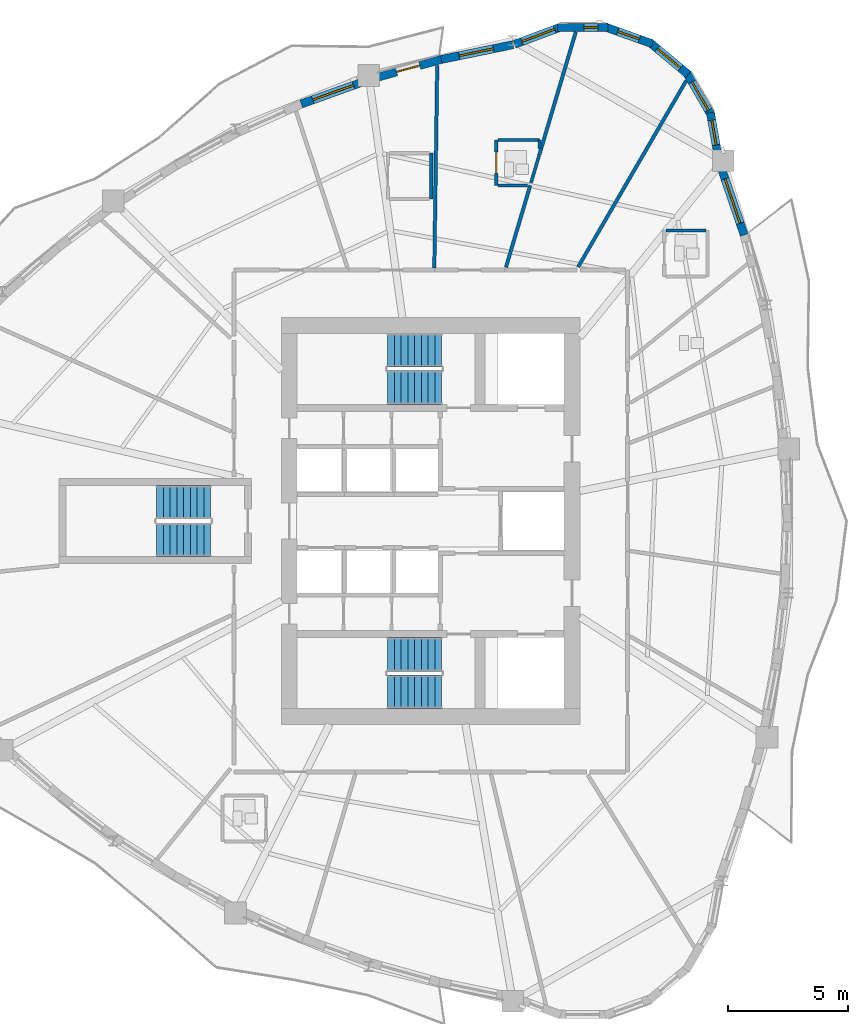
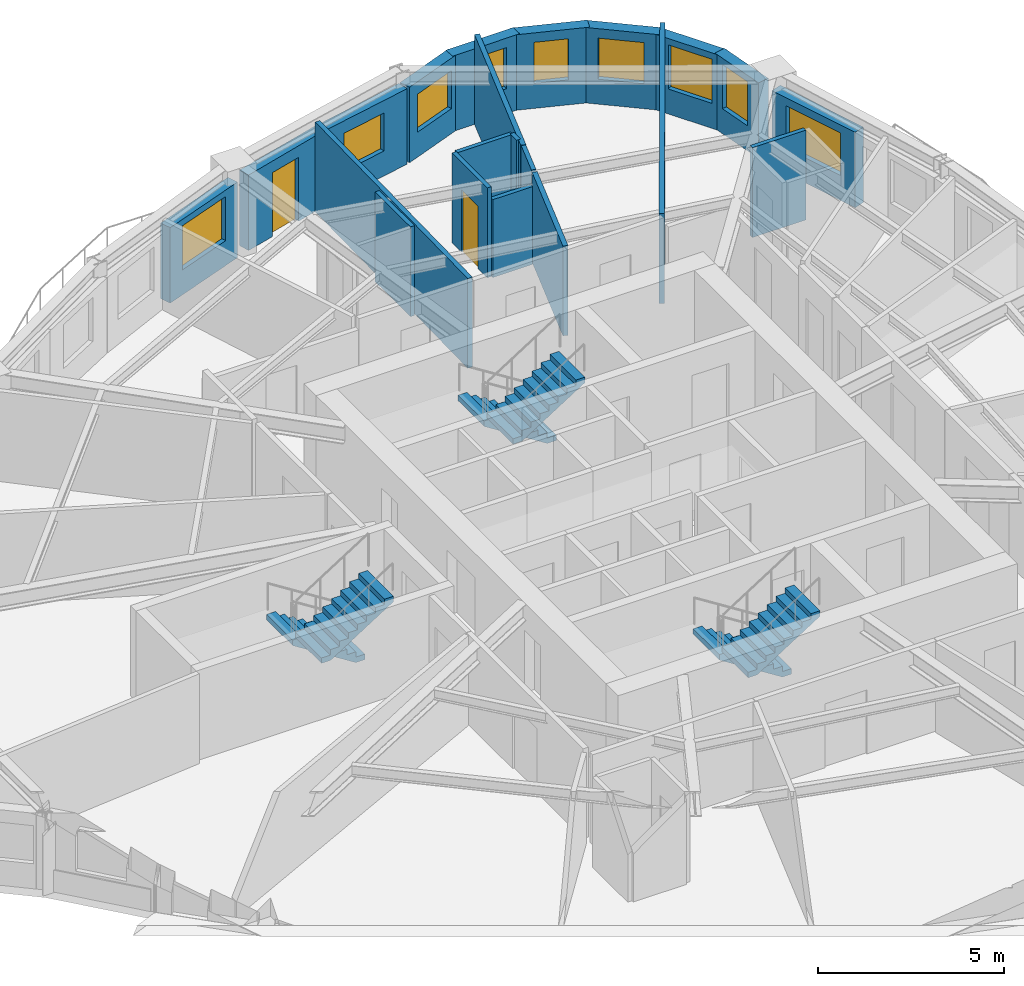
# One storey, part 8 of 12: 21 walls, 9 windows, 6 stair flights, 2 doors, 11 openings, 3 elements without a shape of their own.
"""IFC4 building model written with IfcOpenShell, lengths in metres."""

from ifc_helpers import new_model, si_unit, direction, frame, frame_2d, origin, place, context, subcontext, project, spatial, polyline, rectangle, outline, extrude, source, transform, mapped, material, layer, layer_set, type_object, element, fill, aggregate, save


model = new_model("IFC4")

# Units and contexts
model_context = context("Model", 3, precision=1e-05, world=origin(), true_north=direction((0.0, 1.0)))
body_context = subcontext(model_context, "Body", "Model", "MODEL_VIEW")
ifc_project = project(units=[si_unit("LENGTHUNIT", "METRE"), si_unit("AREAUNIT", "SQUARE_METRE"), si_unit("VOLUMEUNIT", "CUBIC_METRE"), si_unit("PLANEANGLEUNIT", "RADIAN"), si_unit("MASSUNIT", "GRAM", prefix="KILO")], contexts=[model_context])

# Site, building, storey
site_placement = place(None, origin())
site = spatial("IfcSite", under=ifc_project, at=site_placement, CompositionType="ELEMENT")
building_placement = place(site_placement, origin())
building = spatial("IfcBuilding", under=site, at=building_placement, Name="Qafzar Sky-Pleat Residences", CompositionType="ELEMENT")
storey_placement = place(building_placement, frame((0.0, 0.0, 92.800048828125)))
storey = spatial("IfcBuildingStorey", under=building, at=storey_placement, Name="L27", CompositionType="ELEMENT", Elevation=92.800048828125)

# Walls
ifc_material_1 = material(Name="Acoustic gypsum plasterboard partition", Category="gypsum")
ifc_layer_1 = layer(ifc_material_1, 0.14501953125)
ifc_layer_set_1 = layer_set([ifc_layer_1], Name="Acoustic gypsum plasterboard partition")
wall_type_1 = type_object("IfcWallType", Name="PART-UNIT-145", PredefinedType="PARTITIONING", material=ifc_layer_set_1)
wall_1_placement = place(storey_placement, frame((36.474609375, 36.55322265625, 0.0), z_axis=(0.0, 0.0, 1.0), x_axis=(0.501895508122, 0.864928262301, 0.0)))
element("IfcWall", 1, at=wall_1_placement, inside=storey, type_object=wall_type_1, Name="L27 Partition Wall PART-L27-PW-025", PredefinedType="PARTITIONING", context=body_context, shape_type="SweptSolid", body=[
    extrude(rectangle(XDim=8.957763671875, YDim=0.14501953125, at=frame_2d((4.47900390625, 0.0))), origin(), (0.0, 0.0, 1.0), 2.949951171875),
])
wall_2_placement = place(storey_placement, frame((30.500244140625, 36.51904296875, 0.0), z_axis=(0.0, 0.0, 1.0), x_axis=(0.014275968132, 0.999898093174, 0.0)))
element("IfcWall", 2, at=wall_2_placement, inside=storey, type_object=wall_type_1, Name="L27 Partition Wall PART-L27-PW-027", PredefinedType="PARTITIONING", context=body_context, shape_type="SweptSolid", body=[
    extrude(rectangle(XDim=8.4140625, YDim=0.14501953125, at=frame_2d((4.20703125, 0.0))), origin(), (0.0, 0.0, 1.0), 2.949951171875),
])
wall_3_placement = place(storey_placement, frame((34.85888671875, 41.200927734375, 0.0), z_axis=(0.0, 0.0, 1.0), x_axis=(0.284335435967, 0.958724861393, 0.0)))
element("IfcWall", 3, at=wall_3_placement, inside=storey, type_object=wall_type_1, Name="L27 Partition Wall PART-L27-PW-037", PredefinedType="PARTITIONING", context=body_context, shape_type="SweptSolid", body=[
    extrude(rectangle(XDim=5.348388671875, YDim=0.14501953125, at=frame_2d((2.67431640625, 0.0))), origin(), (0.0, 0.0, 1.0), 2.949951171875),
])
wall_4_placement = place(storey_placement, frame((33.47607421875, 36.538330078125, 0.0), z_axis=(0.0, 0.0, 1.0), x_axis=(0.284300835747, 0.958735122332, 0.0)))
element("IfcWall", 4, at=wall_4_placement, inside=storey, type_object=wall_type_1, Name="L27 Partition Wall PART-L27-PW-039", PredefinedType="PARTITIONING", context=body_context, shape_type="SweptSolid", body=[
    extrude(rectangle(XDim=3.5595703125, YDim=0.14501953125, at=frame_2d((1.77978515625, 0.0))), origin(), (0.0, 0.0, 1.0), 2.949951171875),
])

# Wall, opening, door
ifc_material_2 = material(Name="Moisture-resistant gypsum partition", Category="gypsum")
ifc_layer_2 = layer(ifc_material_2, 0.1298828125)
ifc_layer_set_2 = layer_set([ifc_layer_2], Name="Moisture-resistant gypsum partition")
wall_type_2 = type_object("IfcWallType", Name="PART-WET-130", PredefinedType="PARTITIONING", material=ifc_layer_set_2)
wall_5_placement = place(storey_placement, frame((33.073974609375, 41.8359375, 0.0), z_axis=(0.0, 0.0, 1.0), x_axis=(0.0, -1.0, 0.0)))
wall_5 = element("IfcWall", 5, at=wall_5_placement, inside=storey, type_object=wall_type_2, Name="L27 Partition Wall PART-L27-PW-017", PredefinedType="PARTITIONING", context=body_context, shape_type="SweptSolid", body=[
    extrude(rectangle(XDim=1.89990234375, YDim=0.1298828125, at=frame_2d((0.949951171875, 0.0))), origin(), (0.0, 0.0, 1.0), 2.949951171875),
])
opening_1_placement = place(wall_5_placement, frame((0.510009765625, 0.0, 0.0)))
opening_1 = element("IfcOpeningElement", 6, at=opening_1_placement, cuts=wall_5, Name="Opening ID-07", PredefinedType="OPENING", context=body_context, shape_type="SweptSolid", body=[
    extrude(rectangle(XDim=0.8798828125, YDim=2.050048828125, at=frame_2d((0.43994140625, 1.02490234375))), frame((0.0, 0.074951171875, 0.0), z_axis=(0.0, -1.0, 0.0), x_axis=(1.0, 0.0, 0.0)), (0.0, 0.0, 1.0), 0.14990234375),
])
ifc_material_3 = material(Name="Timber-faced fire door", Category="wood")
door_type_1 = type_object("IfcDoorType", Name="DR-WET-880", OperationType="NOTDEFINED", PredefinedType="DOOR", material=ifc_material_3)
shared_shape_1 = source(origin(), body_context, "Body", "SweptSolid", [
    extrude(rectangle(XDim=0.8798828125, YDim=2.050048828125, at=frame_2d((0.43994140625, 1.02490234375))), frame((0.0, 0.02490234375, 0.0), z_axis=(0.0, -1.0, 0.0), x_axis=(1.0, 0.0, 0.0)), (0.0, 0.0, 1.0), 0.050048828125),
])
door_1_placement = place(opening_1_placement, origin())
door_1 = element("IfcDoor", 7, at=door_1_placement, inside=storey, type_object=door_type_1, Name="L27 En-suite Bathroom 3 Door", OperationType="SINGLE_SWING_LEFT", OverallHeight=2.050048828125, OverallWidth=0.8798828125, PredefinedType="DOOR", context=body_context, shape_type="MappedRepresentation", body=[
    mapped(shared_shape_1, transform((0.0, 0.0, 0.0), x_axis=(1.0, 0.0, 0.0), y_axis=(0.0, 1.0, 0.0), z_axis=(0.0, 0.0, 1.0), scale=1.0)),
])
fill(opening_1, door_1)

# Walls
wall_6_placement = place(storey_placement, frame((30.3701171875, 39.385986328125, 0.0), z_axis=(0.0, 0.0, 1.0), x_axis=(0.0, 1.0, 0.0)))
element("IfcWall", 8, at=wall_6_placement, inside=storey, type_object=wall_type_2, Name="L27 Partition Wall PART-L27-PW-044", PredefinedType="PARTITIONING", context=body_context, shape_type="SweptSolid", body=[
    extrude(rectangle(XDim=1.89990234375, YDim=0.1298828125, at=frame_2d((0.949951171875, 0.0))), origin(), (0.0, 0.0, 1.0), 2.949951171875),
])
wall_7_placement = place(storey_placement, frame((33.14697265625, 41.8359375, 0.0), z_axis=(0.0, 0.0, 1.0), x_axis=(1.0, 0.0, 0.0)))
element("IfcWall", 9, at=wall_7_placement, inside=storey, type_object=wall_type_2, Name="L27 Partition Wall PART-L27-PW-045", PredefinedType="PARTITIONING", context=body_context, shape_type="SweptSolid", body=[
    extrude(rectangle(XDim=1.72705078125, YDim=0.1298828125, at=frame_2d((0.863525390625, 0.0))), origin(), (0.0, 0.0, 1.0), 2.949951171875),
])
wall_8_placement = place(storey_placement, frame((40.131103515625, 38.06689453125, 0.0), z_axis=(0.0, 0.0, 1.0), x_axis=(1.0, 0.0, 0.0)))
element("IfcWall", 10, at=wall_8_placement, inside=storey, type_object=wall_type_2, Name="L27 Partition Wall PART-L27-PW-050", PredefinedType="PARTITIONING", context=body_context, shape_type="SweptSolid", body=[
    extrude(rectangle(XDim=1.65380859375, YDim=0.1298828125, at=frame_2d((0.826904296875, 0.0))), origin(), (0.0, 0.0, 1.0), 2.949951171875),
])
wall_9_placement = place(storey_placement, frame((33.14697265625, 39.93603515625, 0.0), z_axis=(0.0, 0.0, 1.0), x_axis=(1.0, 0.0, 0.0)))
element("IfcWall", 11, at=wall_9_placement, inside=storey, type_object=wall_type_2, Name="L27 Partition Wall PART-L27-PW-053", PredefinedType="PARTITIONING", context=body_context, shape_type="SweptSolid", body=[
    extrude(rectangle(XDim=1.234130859375, YDim=0.1298828125, at=frame_2d((0.6171875, 0.0))), origin(), (0.0, 0.0, 1.0), 2.557861328125),
])
wall_10_placement = place(storey_placement, frame((34.519287109375, 40.056640625, 0.0), z_axis=(0.0, 0.0, 1.0), x_axis=(0.284363334184, 0.958716586991, 0.0)))
element("IfcWall", 12, at=wall_10_placement, inside=storey, type_object=wall_type_2, Name="L27 Partition Wall PART-L27-PW-054", PredefinedType="PARTITIONING", context=body_context, shape_type="SweptSolid", body=[
    extrude(rectangle(XDim=1.1787109375, YDim=0.1298828125, at=frame_2d((0.58935546875, 0.0))), origin(), (0.0, 0.0, 1.0), 2.949951171875),
])
wall_11_placement = place(storey_placement, frame((34.8740234375, 41.47705078125, 0.0), z_axis=(0.0, 0.0, 1.0), x_axis=(0.0, 1.0, 0.0)))
element("IfcWall", 13, at=wall_11_placement, inside=storey, type_object=wall_type_2, Name="L27 Partition Wall PART-L27-PW-055", PredefinedType="PARTITIONING", context=body_context, shape_type="SweptSolid", body=[
    extrude(rectangle(XDim=0.35888671875, YDim=0.1298828125, at=frame_2d((0.179443359375, 0.0))), origin(), (0.0, 0.0, 1.0), 2.949951171875),
])

# Wall, opening, window
ifc_material_4 = material(Name="Precast concrete C40/50 with honed Riyadh limestone", Category="concrete")
ifc_layer_3 = layer(ifc_material_4, 0.340087890625)
ifc_layer_set_3 = layer_set([ifc_layer_3], Name="Precast concrete C40/50 with honed Riyadh limestone")
wall_type_3 = type_object("IfcWallType", Name="WALL-EXT-340", PredefinedType="SOLIDWALL", material=ifc_layer_set_3)
wall_12_placement = place(storey_placement, frame((43.38037109375, 37.885986328125, 0.0), z_axis=(0.0, 0.0, 1.0), x_axis=(-0.323536742898, 0.946215607562, 0.0)))
wall_12 = element("IfcWall", 14, at=wall_12_placement, inside=storey, type_object=wall_type_3, Name="L27 Limestone Facade Wall 32", PredefinedType="SOLIDWALL", context=body_context, shape_type="SweptSolid", body=[
    extrude(rectangle(XDim=2.972412109375, YDim=0.340087890625, at=frame_2d((1.486328125, 0.0))), origin(), (0.0, 0.0, 1.0), 2.47998046875),
])
opening_2_placement = place(wall_12_placement, frame((0.51611328125, 0.0, 0.820068359375)))
opening_2 = element("IfcOpeningElement", 15, at=opening_2_placement, cuts=wall_12, Name="Opening WN-08", PredefinedType="OPENING", context=body_context, shape_type="SweptSolid", body=[
    extrude(rectangle(XDim=1.949951171875, YDim=1.39990234375, at=frame_2d((0.97509765625, 0.699951171875))), frame((0.0, 0.18017578125, 0.0), z_axis=(0.0, -1.0, 0.0), x_axis=(1.0, 0.0, 0.0)), (0.0, 0.0, 1.0), 0.360107421875),
])
ifc_material_5 = material(Name="Solar-control low-E glass in bronze aluminium frame", Category="glass")
window_type_1 = type_object("IfcWindowType", Name="WIN-08", PartitioningType="DOUBLE_PANEL_VERTICAL", PredefinedType="WINDOW", material=ifc_material_5)
shared_shape_2 = source(origin(), body_context, "Body", "SweptSolid", [
    extrude(rectangle(XDim=1.949951171875, YDim=1.39990234375, at=frame_2d((0.97509765625, 0.699951171875))), frame((0.0, 0.030029296875, 0.0), z_axis=(0.0, -1.0, 0.0), x_axis=(1.0, 0.0, 0.0)), (0.0, 0.0, 1.0), 0.06005859375),
])
window_1_placement = place(opening_2_placement, origin())
window_1 = element("IfcWindow", 16, at=window_1_placement, inside=storey, type_object=window_type_1, Name="L27 Punched Facade Window 32", OverallHeight=1.39990234375, OverallWidth=1.949951171875, PartitioningType="SINGLE_PANEL", PredefinedType="WINDOW", context=body_context, shape_type="MappedRepresentation", body=[
    mapped(shared_shape_2, transform((0.0, 0.0, 0.0), x_axis=(1.0, 0.0, 0.0), y_axis=(0.0, 1.0, 0.0), z_axis=(0.0, 0.0, 1.0), scale=1.0)),
])
fill(opening_2, window_1)

wall_13_placement = place(storey_placement, frame((42.297607421875, 41.16796875, 0.0), z_axis=(0.0, 0.0, 1.0), x_axis=(-0.17440141227, 0.984674640375, 0.0)))
wall_13 = element("IfcWall", 17, at=wall_13_placement, inside=storey, type_object=wall_type_3, Name="L27 Limestone Facade Wall 33", PredefinedType="SOLIDWALL", context=body_context, shape_type="SweptSolid", body=[
    extrude(rectangle(XDim=1.8310546875, YDim=0.340087890625, at=frame_2d((0.91552734375, 0.0))), origin(), (0.0, 0.0, 1.0), 2.47998046875),
])
opening_3_placement = place(wall_13_placement, frame((0.465576171875, 0.0, 0.820068359375)))
opening_3 = element("IfcOpeningElement", 18, at=opening_3_placement, cuts=wall_13, Name="Opening WN-06", PredefinedType="OPENING", context=body_context, shape_type="SweptSolid", body=[
    extrude(rectangle(XDim=1.050048828125, YDim=1.449951171875, at=frame_2d((0.52490234375, 0.72509765625))), frame((0.0, 0.18017578125, 0.0), z_axis=(0.0, -1.0, 0.0), x_axis=(1.0, 0.0, 0.0)), (0.0, 0.0, 1.0), 0.360107421875),
])
window_type_2 = type_object("IfcWindowType", Name="WIN-06", PartitioningType="SINGLE_PANEL", PredefinedType="WINDOW", material=ifc_material_5)
shared_shape_3 = source(origin(), body_context, "Body", "SweptSolid", [
    extrude(rectangle(XDim=1.050048828125, YDim=1.449951171875, at=frame_2d((0.52490234375, 0.72509765625))), frame((0.0, 0.030029296875, 0.0), z_axis=(0.0, -1.0, 0.0), x_axis=(1.0, 0.0, 0.0)), (0.0, 0.0, 1.0), 0.06005859375),
])
window_2_placement = place(opening_3_placement, origin())
window_2 = element("IfcWindow", 19, at=window_2_placement, inside=storey, type_object=window_type_2, Name="L27 Punched Facade Window 33", OverallHeight=1.449951171875, OverallWidth=1.050048828125, PartitioningType="SINGLE_PANEL", PredefinedType="WINDOW", context=body_context, shape_type="MappedRepresentation", body=[
    mapped(shared_shape_3, transform((0.0, 0.0, 0.0), x_axis=(1.0, 0.0, 0.0), y_axis=(0.0, 1.0, 0.0), z_axis=(0.0, 0.0, 1.0), scale=1.0)),
])
fill(opening_3, window_2)

wall_14_placement = place(storey_placement, frame((42.024169921875, 42.844970703125, 0.0), z_axis=(0.0, 0.0, 1.0), x_axis=(-0.501902596059, 0.864924149315, 0.0)))
wall_14 = element("IfcWall", 20, at=wall_14_placement, inside=storey, type_object=wall_type_3, Name="L27 Limestone Facade Wall 34", PredefinedType="SOLIDWALL", context=body_context, shape_type="SweptSolid", body=[
    extrude(rectangle(XDim=2.098876953125, YDim=0.340087890625, at=frame_2d((1.04931640625, 0.0))), origin(), (0.0, 0.0, 1.0), 2.47998046875),
])
opening_4_placement = place(wall_14_placement, frame((0.264892578125, 0.0, 0.820068359375)))
opening_4 = element("IfcOpeningElement", 21, at=opening_4_placement, cuts=wall_14, Name="Opening WN-04", PredefinedType="OPENING", context=body_context, shape_type="SweptSolid", body=[
    extrude(rectangle(XDim=1.35009765625, YDim=1.449951171875, at=frame_2d((0.675048828125, 0.72509765625))), frame((0.0, 0.18017578125, 0.0), z_axis=(0.0, -1.0, 0.0), x_axis=(1.0, 0.0, 0.0)), (0.0, 0.0, 1.0), 0.360107421875),
])
window_type_3 = type_object("IfcWindowType", Name="WIN-04", PartitioningType="SINGLE_PANEL", PredefinedType="WINDOW", material=ifc_material_5)
shared_shape_4 = source(origin(), body_context, "Body", "SweptSolid", [
    extrude(rectangle(XDim=1.35009765625, YDim=1.449951171875, at=frame_2d((0.675048828125, 0.72509765625))), frame((0.0, 0.030029296875, 0.0), z_axis=(0.0, -1.0, 0.0), x_axis=(1.0, 0.0, 0.0)), (0.0, 0.0, 1.0), 0.06005859375),
])
window_3_placement = place(opening_4_placement, origin())
window_3 = element("IfcWindow", 22, at=window_3_placement, inside=storey, type_object=window_type_3, Name="L27 Punched Facade Window 34", OverallHeight=1.449951171875, OverallWidth=1.35009765625, PartitioningType="SINGLE_PANEL", PredefinedType="WINDOW", context=body_context, shape_type="MappedRepresentation", body=[
    mapped(shared_shape_4, transform((0.0, 0.0, 0.0), x_axis=(1.0, 0.0, 0.0), y_axis=(0.0, 1.0, 0.0), z_axis=(0.0, 0.0, 1.0), scale=1.0)),
])
fill(opening_4, window_3)

wall_15_placement = place(storey_placement, frame((41.05712890625, 44.557861328125, 0.0), z_axis=(0.0, 0.0, 1.0), x_axis=(-0.768497696041, 0.639852554249, 0.0)))
wall_15 = element("IfcWall", 23, at=wall_15_placement, inside=storey, type_object=wall_type_3, Name="L27 Limestone Facade Wall 35", PredefinedType="SOLIDWALL", context=body_context, shape_type="SweptSolid", body=[
    extrude(rectangle(XDim=2.098876953125, YDim=0.340087890625, at=frame_2d((1.04931640625, 0.0))), origin(), (0.0, 0.0, 1.0), 2.47998046875),
])
opening_5_placement = place(wall_15_placement, frame((0.424560546875, 0.0, 0.820068359375)))
opening_5 = element("IfcOpeningElement", 24, at=opening_5_placement, cuts=wall_15, Name="Opening WN-11", PredefinedType="OPENING", context=body_context, shape_type="SweptSolid", body=[
    extrude(rectangle(XDim=1.25, YDim=1.35009765625, at=frame_2d((0.625, 0.675048828125))), frame((0.0, 0.18017578125, 0.0), z_axis=(0.0, -1.0, 0.0), x_axis=(1.0, 0.0, 0.0)), (0.0, 0.0, 1.0), 0.360107421875),
])
window_type_4 = type_object("IfcWindowType", Name="WIN-11", PartitioningType="SINGLE_PANEL", PredefinedType="WINDOW", material=ifc_material_5)
shared_shape_5 = source(origin(), body_context, "Body", "SweptSolid", [
    extrude(rectangle(XDim=1.25, YDim=1.35009765625, at=frame_2d((0.625, 0.675048828125))), frame((0.0, 0.030029296875, 0.0), z_axis=(0.0, -1.0, 0.0), x_axis=(1.0, 0.0, 0.0)), (0.0, 0.0, 1.0), 0.06005859375),
])
window_4_placement = place(opening_5_placement, origin())
window_4 = element("IfcWindow", 25, at=window_4_placement, inside=storey, type_object=window_type_4, Name="L27 Punched Facade Window 35", OverallHeight=1.35009765625, OverallWidth=1.25, PartitioningType="SINGLE_PANEL", PredefinedType="WINDOW", context=body_context, shape_type="MappedRepresentation", body=[
    mapped(shared_shape_5, transform((0.0, 0.0, 0.0), x_axis=(1.0, 0.0, 0.0), y_axis=(0.0, 1.0, 0.0), z_axis=(0.0, 0.0, 1.0), scale=1.0)),
])
fill(opening_5, window_4)

wall_16_placement = place(storey_placement, frame((39.560546875, 45.834228515625, 0.0), z_axis=(0.0, 0.0, 1.0), x_axis=(-0.941473186867, 0.33708787936, 0.0)))
wall_16 = element("IfcWall", 26, at=wall_16_placement, inside=storey, type_object=wall_type_3, Name="L27 Limestone Facade Wall 36", PredefinedType="SOLIDWALL", context=body_context, shape_type="SweptSolid", body=[
    extrude(rectangle(XDim=2.098876953125, YDim=0.340087890625, at=frame_2d((1.04931640625, 0.0))), origin(), (0.0, 0.0, 1.0), 2.47998046875),
])
opening_6_placement = place(wall_16_placement, frame((0.574462890625, 0.0, 0.820068359375)))
opening_6 = element("IfcOpeningElement", 27, at=opening_6_placement, cuts=wall_16, Name="Opening WN-12", PredefinedType="OPENING", context=body_context, shape_type="SweptSolid", body=[
    extrude(rectangle(XDim=0.949951171875, YDim=1.35009765625, at=frame_2d((0.47509765625, 0.675048828125))), frame((0.0, 0.18017578125, 0.0), z_axis=(0.0, -1.0, 0.0), x_axis=(1.0, 0.0, 0.0)), (0.0, 0.0, 1.0), 0.360107421875),
])
window_type_5 = type_object("IfcWindowType", Name="WIN-12", PartitioningType="SINGLE_PANEL", PredefinedType="WINDOW", material=ifc_material_5)
shared_shape_6 = source(origin(), body_context, "Body", "SweptSolid", [
    extrude(rectangle(XDim=0.949951171875, YDim=1.35009765625, at=frame_2d((0.47509765625, 0.675048828125))), frame((0.0, 0.030029296875, 0.0), z_axis=(0.0, -1.0, 0.0), x_axis=(1.0, 0.0, 0.0)), (0.0, 0.0, 1.0), 0.06005859375),
])
window_5_placement = place(opening_6_placement, origin())
window_5 = element("IfcWindow", 28, at=window_5_placement, inside=storey, type_object=window_type_5, Name="L27 Punched Facade Window 36", OverallHeight=1.35009765625, OverallWidth=0.949951171875, PartitioningType="SINGLE_PANEL", PredefinedType="WINDOW", context=body_context, shape_type="MappedRepresentation", body=[
    mapped(shared_shape_6, transform((0.0, 0.0, 0.0), x_axis=(1.0, 0.0, 0.0), y_axis=(0.0, 1.0, 0.0), z_axis=(0.0, 0.0, 1.0), scale=1.0)),
])
fill(opening_6, window_5)

wall_17_placement = place(storey_placement, frame((37.716796875, 46.519287109375, 0.0), z_axis=(0.0, 0.0, 1.0), x_axis=(-0.999976451414, -0.006862697526, 0.0)))
wall_17 = element("IfcWall", 29, at=wall_17_placement, inside=storey, type_object=wall_type_3, Name="L27 Limestone Facade Wall 37", PredefinedType="SOLIDWALL", context=body_context, shape_type="SweptSolid", body=[
    extrude(rectangle(XDim=2.098876953125, YDim=0.340087890625, at=frame_2d((1.04931640625, 0.0))), origin(), (0.0, 0.0, 1.0), 2.47998046875),
])
opening_7_placement = place(wall_17_placement, frame((0.415771484375, 0.0, 0.820068359375)))
opening_7 = element("IfcOpeningElement", 30, at=opening_7_placement, cuts=wall_17, Name="Opening WN-17", PredefinedType="OPENING", context=body_context, shape_type="SweptSolid", body=[
    extrude(rectangle(XDim=0.580078125, YDim=1.35009765625, at=frame_2d((0.2900390625, 0.675048828125))), frame((0.0, 0.18017578125, 0.0), z_axis=(0.0, -1.0, 0.0), x_axis=(1.0, 0.0, 0.0)), (0.0, 0.0, 1.0), 0.360107421875),
])
window_type_6 = type_object("IfcWindowType", Name="WIN-17", PartitioningType="SINGLE_PANEL", PredefinedType="WINDOW", material=ifc_material_5)
shared_shape_7 = source(origin(), body_context, "Body", "SweptSolid", [
    extrude(rectangle(XDim=0.580078125, YDim=1.35009765625, at=frame_2d((0.2900390625, 0.675048828125))), frame((0.0, 0.030029296875, 0.0), z_axis=(0.0, -1.0, 0.0), x_axis=(1.0, 0.0, 0.0)), (0.0, 0.0, 1.0), 0.06005859375),
])
window_6_placement = place(opening_7_placement, origin())
window_6 = element("IfcWindow", 31, at=window_6_placement, inside=storey, type_object=window_type_6, Name="L27 Punched Facade Window 37", OverallHeight=1.35009765625, OverallWidth=0.580078125, PartitioningType="SINGLE_PANEL", PredefinedType="WINDOW", context=body_context, shape_type="MappedRepresentation", body=[
    mapped(shared_shape_7, transform((0.0, 0.0, 0.0), x_axis=(1.0, 0.0, 0.0), y_axis=(0.0, 1.0, 0.0), z_axis=(0.0, 0.0, 1.0), scale=1.0)),
])
fill(opening_7, window_6)

wall_18_placement = place(storey_placement, frame((35.749755859375, 46.529296875, 0.0), z_axis=(0.0, 0.0, 1.0), x_axis=(-0.9368002254, -0.349864741994, 0.0)))
wall_18 = element("IfcWall", 32, at=wall_18_placement, inside=storey, type_object=wall_type_3, Name="L27 Limestone Facade Wall 38", PredefinedType="SOLIDWALL", context=body_context, shape_type="SweptSolid", body=[
    extrude(rectangle(XDim=2.041015625, YDim=0.340087890625, at=frame_2d((1.0205078125, 0.0))), origin(), (0.0, 0.0, 1.0), 2.47998046875),
])
opening_8_placement = place(wall_18_placement, frame((0.265380859375, 0.0, 0.820068359375)))
opening_8 = element("IfcOpeningElement", 33, at=opening_8_placement, cuts=wall_18, Name="Opening WN-15", PredefinedType="OPENING", context=body_context, shape_type="SweptSolid", body=[
    extrude(rectangle(XDim=1.449951171875, YDim=1.25, at=frame_2d((0.72509765625, 0.625))), frame((0.0, 0.18017578125, 0.0), z_axis=(0.0, -1.0, 0.0), x_axis=(1.0, 0.0, 0.0)), (0.0, 0.0, 1.0), 0.360107421875),
])
window_type_7 = type_object("IfcWindowType", Name="WIN-15", PartitioningType="SINGLE_PANEL", PredefinedType="WINDOW", material=ifc_material_5)
shared_shape_8 = source(origin(), body_context, "Body", "SweptSolid", [
    extrude(rectangle(XDim=1.449951171875, YDim=1.25, at=frame_2d((0.72509765625, 0.625))), frame((0.0, 0.030029296875, 0.0), z_axis=(0.0, -1.0, 0.0), x_axis=(1.0, 0.0, 0.0)), (0.0, 0.0, 1.0), 0.06005859375),
])
window_7_placement = place(opening_8_placement, origin())
window_7 = element("IfcWindow", 34, at=window_7_placement, inside=storey, type_object=window_type_7, Name="L27 Punched Facade Window 38", OverallHeight=1.25, OverallWidth=1.449951171875, PartitioningType="SINGLE_PANEL", PredefinedType="WINDOW", context=body_context, shape_type="MappedRepresentation", body=[
    mapped(shared_shape_8, transform((0.0, 0.0, 0.0), x_axis=(1.0, 0.0, 0.0), y_axis=(0.0, 1.0, 0.0), z_axis=(0.0, 0.0, 1.0), scale=1.0)),
])
fill(opening_8, window_7)

wall_19_placement = place(storey_placement, frame((33.774169921875, 45.797119140625, 0.0), z_axis=(0.0, 0.0, 1.0), x_axis=(-0.979428519707, -0.201791414051, 0.0)))
wall_19 = element("IfcWall", 35, at=wall_19_placement, inside=storey, type_object=wall_type_3, Name="L27 Limestone Facade Wall 39", PredefinedType="SOLIDWALL", context=body_context, shape_type="SweptSolid", body=[
    extrude(rectangle(XDim=3.133544921875, YDim=0.340087890625, at=frame_2d((1.56689453125, 0.0))), origin(), (0.0, 0.0, 1.0), 2.47998046875),
])
opening_9_placement = place(wall_19_placement, frame((0.831787109375, 0.0, 0.820068359375)))
opening_9 = element("IfcOpeningElement", 36, at=opening_9_placement, cuts=wall_19, Name="Opening WN-15", PredefinedType="OPENING", context=body_context, shape_type="SweptSolid", body=[
    extrude(rectangle(XDim=1.449951171875, YDim=1.25, at=frame_2d((0.72509765625, 0.625))), frame((0.0, 0.18017578125, 0.0), z_axis=(0.0, -1.0, 0.0), x_axis=(1.0, 0.0, 0.0)), (0.0, 0.0, 1.0), 0.360107421875),
])
window_8_placement = place(opening_9_placement, origin())
window_8 = element("IfcWindow", 37, at=window_8_placement, inside=storey, type_object=window_type_7, Name="L27 Punched Facade Window 39", OverallHeight=1.25, OverallWidth=1.449951171875, PartitioningType="SINGLE_PANEL", PredefinedType="WINDOW", context=body_context, shape_type="MappedRepresentation", body=[
    mapped(shared_shape_8, transform((0.0, 0.0, 0.0), x_axis=(1.0, 0.0, 0.0), y_axis=(0.0, 1.0, 0.0), z_axis=(0.0, 0.0, 1.0), scale=1.0)),
])
fill(opening_9, window_8)

# Wall, opening, door
wall_20_placement = place(storey_placement, frame((30.790283203125, 45.185302734375, 0.0), z_axis=(0.0, 0.0, 1.0), x_axis=(-0.963052677404, -0.269313090187, 0.0)))
wall_20 = element("IfcWall", 38, at=wall_20_placement, inside=storey, type_object=wall_type_3, Name="L27 Limestone Facade Wall 40", PredefinedType="SOLIDWALL", context=body_context, shape_type="SweptSolid", body=[
    extrude(rectangle(XDim=2.8583984375, YDim=0.340087890625, at=frame_2d((1.42919921875, 0.0))), origin(), (0.0, 0.0, 1.0), 2.47998046875),
])
opening_10_placement = place(wall_20_placement, frame((0.92919921875, 0.0, 0.0)))
opening_10 = element("IfcOpeningElement", 39, at=opening_10_placement, cuts=wall_20, Name="Opening ED-05", PredefinedType="OPENING", context=body_context, shape_type="SweptSolid", body=[
    extrude(rectangle(XDim=1.0, YDim=2.10009765625, at=frame_2d((0.5, 1.050048828125))), frame((0.0, 0.18017578125, 0.0), z_axis=(0.0, -1.0, 0.0), x_axis=(1.0, 0.0, 0.0)), (0.0, 0.0, 1.0), 0.360107421875),
])
ifc_material_6 = material(Name="Glazed bronze aluminium door", Category="aluminium")
door_type_2 = type_object("IfcDoorType", Name="DR-BAL-1000", OperationType="NOTDEFINED", PredefinedType="DOOR", material=ifc_material_6)
shared_shape_9 = source(origin(), body_context, "Body", "SweptSolid", [
    extrude(rectangle(XDim=1.0, YDim=2.10009765625, at=frame_2d((0.5, 1.050048828125))), frame((0.0, 0.02490234375, 0.0), z_axis=(0.0, -1.0, 0.0), x_axis=(1.0, 0.0, 0.0)), (0.0, 0.0, 1.0), 0.050048828125),
])
door_2_placement = place(opening_10_placement, origin())
door_2 = element("IfcDoor", 40, at=door_2_placement, inside=storey, type_object=door_type_2, Name="L27 Glazed Balcony Door 2", OperationType="SINGLE_SWING_LEFT", OverallHeight=2.10009765625, OverallWidth=1.0, PredefinedType="DOOR", context=body_context, shape_type="MappedRepresentation", body=[
    mapped(shared_shape_9, transform((0.0, 0.0, 0.0), x_axis=(1.0, 0.0, 0.0), y_axis=(0.0, 1.0, 0.0), z_axis=(0.0, 0.0, 1.0), scale=1.0)),
])
fill(opening_10, door_2)

# Wall, opening, window
wall_21_placement = place(storey_placement, frame((27.611328125, 44.279541015625, 0.0), z_axis=(0.0, 0.0, 1.0), x_axis=(-0.94110108123, -0.338125353836, 0.0)))
wall_21 = element("IfcWall", 41, at=wall_21_placement, inside=storey, type_object=wall_type_3, Name="L27 Limestone Facade Wall 41", PredefinedType="SOLIDWALL", context=body_context, shape_type="SweptSolid", body=[
    extrude(rectangle(XDim=2.808837890625, YDim=0.340087890625, at=frame_2d((1.404296875, 0.0))), origin(), (0.0, 0.0, 1.0), 2.47998046875),
])
opening_11_placement = place(wall_21_placement, frame((0.499267578125, 0.0, 0.820068359375)))
opening_11 = element("IfcOpeningElement", 42, at=opening_11_placement, cuts=wall_21, Name="Opening WN-01", PredefinedType="OPENING", context=body_context, shape_type="SweptSolid", body=[
    extrude(rectangle(XDim=1.800048828125, YDim=1.449951171875, at=frame_2d((0.89990234375, 0.72509765625))), frame((0.0, 0.18017578125, 0.0), z_axis=(0.0, -1.0, 0.0), x_axis=(1.0, 0.0, 0.0)), (0.0, 0.0, 1.0), 0.360107421875),
])
window_type_8 = type_object("IfcWindowType", Name="WIN-01", PartitioningType="DOUBLE_PANEL_VERTICAL", PredefinedType="WINDOW", material=ifc_material_5)
shared_shape_10 = source(origin(), body_context, "Body", "SweptSolid", [
    extrude(rectangle(XDim=1.800048828125, YDim=1.449951171875, at=frame_2d((0.89990234375, 0.72509765625))), frame((0.0, 0.030029296875, 0.0), z_axis=(0.0, -1.0, 0.0), x_axis=(1.0, 0.0, 0.0)), (0.0, 0.0, 1.0), 0.06005859375),
])
window_9_placement = place(opening_11_placement, origin())
window_9 = element("IfcWindow", 43, at=window_9_placement, inside=storey, type_object=window_type_8, Name="L27 Punched Facade Window 41", OverallHeight=1.449951171875, OverallWidth=1.800048828125, PartitioningType="SINGLE_PANEL", PredefinedType="WINDOW", context=body_context, shape_type="MappedRepresentation", body=[
    mapped(shared_shape_10, transform((0.0, 0.0, 0.0), x_axis=(1.0, 0.0, 0.0), y_axis=(0.0, 1.0, 0.0), z_axis=(0.0, 0.0, 1.0), scale=1.0)),
])
fill(opening_11, window_9)

# Stair, stair flights
ifc_material_7 = material(Name="Concrete C40/50", Category="concrete")
stair_type = type_object("IfcStairType", Name="STAIR-H320", PredefinedType="HALF_TURN_STAIR", material=ifc_material_7)
stair_1_placement = place(storey_placement, origin())
stair_1 = element("IfcStair", 44, at=stair_1_placement, inside=storey, type_object=stair_type, Name="L27 Protected Exit Stair ST1", PredefinedType="HALF_TURN_STAIR")
stair_flight_type = type_object("IfcStairFlightType", Name="FLIGHT-H320", PredefinedType="STRAIGHT", material=ifc_material_7)
shared_shape_11 = source(origin(), body_context, "Body", "SweptSolid", [
    extrude(outline(polyline([(0.0, 0.0), (0.0, 0.177734375), (0.280029296875, 0.177734375), (0.280029296875, 0.35546875), (0.56005859375, 0.35546875), (0.56005859375, 0.533447265625), (0.840087890625, 0.533447265625), (0.840087890625, 0.711181640625), (1.1201171875, 0.711181640625), (1.1201171875, 0.888916015625), (1.39990234375, 0.888916015625), (1.39990234375, 1.066650390625), (1.679931640625, 1.066650390625), (1.679931640625, 1.244384765625), (1.9599609375, 1.244384765625), (1.9599609375, 1.422119140625), (2.239990234375, 1.422119140625), (2.239990234375, 1.60009765625), (2.239990234375, 1.24462890625), (0.27978515625, 0.0), (0.0, 0.0)])), frame((0.0, 0.699951171875, 0.0), z_axis=(0.0, -1.0, 0.0), x_axis=(1.0, 0.0, 0.0)), (0.0, 0.0, 1.0), 1.39990234375),
])
stair_flight_1_placement = place(storey_placement, frame((30.800048828125, 20.449951171875, 0.0), z_axis=(0.0, 0.0, 1.0), x_axis=(-1.0, 0.0, 0.0)))
stair_flight_1 = element("IfcStairFlight", 45, at=stair_flight_1_placement, type_object=stair_flight_type, Name="ST1 flight 1", NumberOfRisers=9, NumberOfTreads=8, PredefinedType="STRAIGHT", RiserHeight=0.177777778, TreadLength=0.28, context=body_context, shape_type="MappedRepresentation", body=[
    mapped(shared_shape_11, transform((0.0, 0.0, 0.0), x_axis=(1.0, 0.0, 0.0), y_axis=(0.0, 1.0, 0.0), z_axis=(0.0, 0.0, 1.0), scale=1.0)),
])
stair_flight_2_placement = place(storey_placement, frame((28.56005859375, 18.89990234375, 1.599853515625), z_axis=(0.0, 0.0, 1.0), x_axis=(1.0, 0.0, 0.0)))
stair_flight_2 = element("IfcStairFlight", 46, at=stair_flight_2_placement, type_object=stair_flight_type, Name="ST1 flight 2", NumberOfRisers=9, NumberOfTreads=8, PredefinedType="STRAIGHT", RiserHeight=0.177777778, TreadLength=0.28, context=body_context, shape_type="MappedRepresentation", body=[
    mapped(shared_shape_11, transform((0.0, 0.0, 0.0), x_axis=(1.0, 0.0, 0.0), y_axis=(0.0, 1.0, 0.0), z_axis=(0.0, 0.0, 1.0), scale=1.0)),
])
aggregate(stair_1, [stair_flight_1, stair_flight_2])

stair_2_placement = place(storey_placement, origin())
stair_2 = element("IfcStair", 47, at=stair_2_placement, inside=storey, type_object=stair_type, Name="L27 Protected Exit Stair ST2", PredefinedType="HALF_TURN_STAIR")
stair_flight_3_placement = place(storey_placement, frame((30.800048828125, 33.10009765625, 0.0), z_axis=(0.0, 0.0, 1.0), x_axis=(-1.0, 0.0, 0.0)))
stair_flight_3 = element("IfcStairFlight", 48, at=stair_flight_3_placement, type_object=stair_flight_type, Name="ST2 flight 1", NumberOfRisers=9, NumberOfTreads=8, PredefinedType="STRAIGHT", RiserHeight=0.177777778, TreadLength=0.28, context=body_context, shape_type="MappedRepresentation", body=[
    mapped(shared_shape_11, transform((0.0, 0.0, 0.0), x_axis=(1.0, 0.0, 0.0), y_axis=(0.0, 1.0, 0.0), z_axis=(0.0, 0.0, 1.0), scale=1.0)),
])
stair_flight_4_placement = place(storey_placement, frame((28.56005859375, 31.550048828125, 1.599853515625), z_axis=(0.0, 0.0, 1.0), x_axis=(1.0, 0.0, 0.0)))
stair_flight_4 = element("IfcStairFlight", 49, at=stair_flight_4_placement, type_object=stair_flight_type, Name="ST2 flight 2", NumberOfRisers=9, NumberOfTreads=8, PredefinedType="STRAIGHT", RiserHeight=0.177777778, TreadLength=0.28, context=body_context, shape_type="MappedRepresentation", body=[
    mapped(shared_shape_11, transform((0.0, 0.0, 0.0), x_axis=(1.0, 0.0, 0.0), y_axis=(0.0, 1.0, 0.0), z_axis=(0.0, 0.0, 1.0), scale=1.0)),
])
aggregate(stair_2, [stair_flight_3, stair_flight_4])

stair_3_placement = place(storey_placement, origin())
stair_3 = element("IfcStair", 50, at=stair_3_placement, inside=storey, type_object=stair_type, Name="L27 Protected Exit Stair ST3", PredefinedType="HALF_TURN_STAIR")
stair_flight_5_placement = place(storey_placement, frame((21.199951171875, 26.77490234375, 0.0), z_axis=(0.0, 0.0, 1.0), x_axis=(-1.0, 0.0, 0.0)))
stair_flight_5 = element("IfcStairFlight", 51, at=stair_flight_5_placement, type_object=stair_flight_type, Name="ST3 flight 1", NumberOfRisers=9, NumberOfTreads=8, PredefinedType="STRAIGHT", RiserHeight=0.177777778, TreadLength=0.28, context=body_context, shape_type="MappedRepresentation", body=[
    mapped(shared_shape_11, transform((0.0, 0.0, 0.0), x_axis=(1.0, 0.0, 0.0), y_axis=(0.0, 1.0, 0.0), z_axis=(0.0, 0.0, 1.0), scale=1.0)),
])
stair_flight_6_placement = place(storey_placement, frame((18.9599609375, 25.22509765625, 1.599853515625), z_axis=(0.0, 0.0, 1.0), x_axis=(1.0, 0.0, 0.0)))
stair_flight_6 = element("IfcStairFlight", 52, at=stair_flight_6_placement, type_object=stair_flight_type, Name="ST3 flight 2", NumberOfRisers=9, NumberOfTreads=8, PredefinedType="STRAIGHT", RiserHeight=0.177777778, TreadLength=0.28, context=body_context, shape_type="MappedRepresentation", body=[
    mapped(shared_shape_11, transform((0.0, 0.0, 0.0), x_axis=(1.0, 0.0, 0.0), y_axis=(0.0, 1.0, 0.0), z_axis=(0.0, 0.0, 1.0), scale=1.0)),
])
aggregate(stair_3, [stair_flight_5, stair_flight_6])

save(model, "model.ifc")
